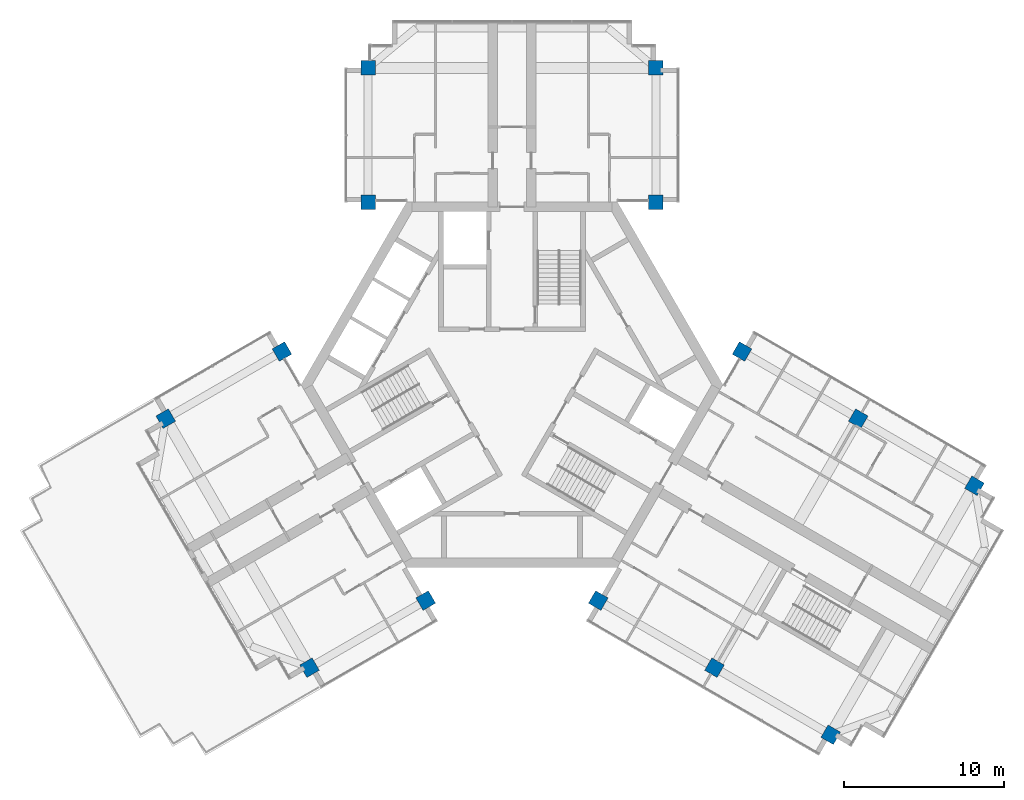
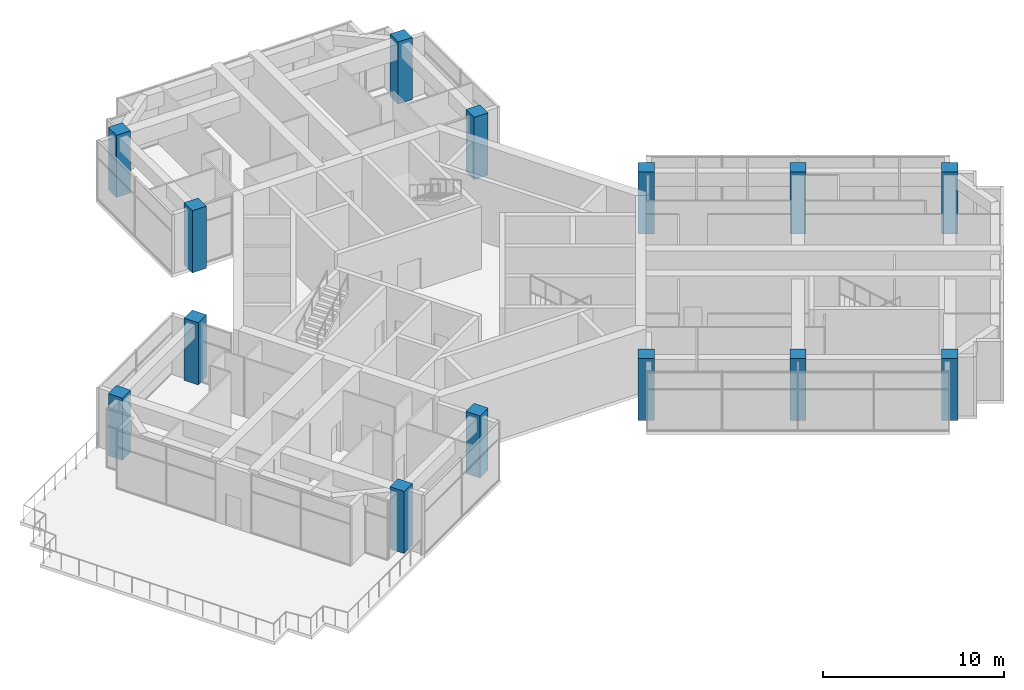
# One storey, part 1 of 13: 14 columns.
"""IFC4 building model written with IfcOpenShell, lengths in metres."""

import ifcopenshell
import ifcopenshell.guid

model = None  # the IFC model being written
_history = None  # IfcOwnerHistory: only IFC2X3 demands one
_inside = {}  # id of a spatial element -> (the spatial element, [elements in it])
_under = {}  # id of a project, library or spatial element -> (it, [spatial elements below it])
_declared = {}  # id of a project -> (the project, [libraries it declares])
_typed = {}  # id of a type object -> (the type object, [elements of that type])
_made_of = {}  # id of a material, layer set ... -> (it, [elements and type objects made of it])


def new_model(schema):
    """Start an empty IFC model of exactly this schema.

    Asked for "IFC4X3", IfcOpenShell would pick the latest addendum, in which some entities
    have other attributes; the version numbers below select the first issue.
    IFC2X3 requires an IfcOwnerHistory on every rooted entity: one is made here for all.
    """
    global model, _history
    if schema == "IFC4X3":
        model = ifcopenshell.file(schema_version=(4, 3, 0, 0))
    else:
        model = ifcopenshell.file(schema=schema)
    _inside.clear()
    _under.clear()
    _declared.clear()
    _typed.clear()
    _made_of.clear()
    _history = None
    if model.schema == "IFC2X3":
        org = make("IfcOrganization", Name="unknown")
        user = make(
            "IfcPersonAndOrganization",
            ThePerson=make("IfcPerson", FamilyName="unknown"),
            TheOrganization=org,
        )
        app = make(
            "IfcApplication",
            ApplicationDeveloper=org,
            Version="unknown",
            ApplicationFullName="unknown",
            ApplicationIdentifier="unknown",
        )
        _history = make(
            "IfcOwnerHistory",
            OwningUser=user,
            OwningApplication=app,
            ChangeAction="ADDED",
            CreationDate=0,
        )
    return model


def make(cls, **values):
    """One entity of the class cls with the attributes given. An attribute that is None is left unset."""
    return model.create_entity(
        cls, **{name: value for name, value in values.items() if value is not None}
    )


def rooted(cls, **values):
    """An entity with a GlobalId (a new one), such as an element, a storey or a relation."""
    return make(cls, GlobalId=ifcopenshell.guid.new(), OwnerHistory=_history, **values)


def si_unit(unit_type, name, prefix=None):
    """IfcSIUnit, for example si_unit("LENGTHUNIT", "METRE", prefix="MILLI")."""
    return make("IfcSIUnit", UnitType=unit_type, Prefix=prefix, Name=name)


def assignment(units):
    """IfcUnitAssignment: the units of a project."""
    return None if units is None else make("IfcUnitAssignment", Units=units)


def point(xyz):
    """IfcCartesianPoint."""
    return None if xyz is None else make("IfcCartesianPoint", Coordinates=xyz)


def direction(xyz):
    """IfcDirection."""
    return None if xyz is None else make("IfcDirection", DirectionRatios=xyz)


def frame(location, z_axis=None, x_axis=None):
    """IfcAxis2Placement3D, a coordinate frame: its origin and axes. An axis left out is left unset."""
    return make(
        "IfcAxis2Placement3D",
        Location=point(location),
        Axis=direction(z_axis),
        RefDirection=direction(x_axis),
    )


def frame_2d(location, x_axis=None):
    """IfcAxis2Placement2D, a coordinate frame in the plane: its origin and x axis."""
    return make(
        "IfcAxis2Placement2D", Location=point(location), RefDirection=direction(x_axis)
    )


def origin():
    """The frame at (0, 0, 0) with its axes left unset."""
    return frame((0.0, 0.0, 0.0))


def origin_2d():
    """The frame at (0, 0) in the plane with its x axis left unset."""
    return frame_2d((0.0, 0.0))


def place(relative_to, where):
    """IfcLocalPlacement: puts the frame where relative to a parent placement (None: the world)."""
    return make(
        "IfcLocalPlacement", PlacementRelTo=relative_to, RelativePlacement=where
    )


def context(
    kind, dimensions, precision=None, world=None, true_north=None, identifier=None
):
    """IfcGeometricRepresentationContext, for example the 3D "Model" context."""
    return make(
        "IfcGeometricRepresentationContext",
        ContextIdentifier=identifier,
        ContextType=kind,
        CoordinateSpaceDimension=dimensions,
        Precision=precision,
        WorldCoordinateSystem=world,
        TrueNorth=true_north,
    )


def subcontext(parent, identifier, kind, view, scale=None):
    """IfcGeometricRepresentationSubContext, for example "Body" below "Model"."""
    return make(
        "IfcGeometricRepresentationSubContext",
        ContextIdentifier=identifier,
        ContextType=kind,
        ParentContext=parent,
        TargetScale=scale,
        TargetView=view,
    )


def project(units=None, contexts=None):
    """IfcProject with its units and contexts."""
    return rooted(
        "IfcProject",
        Name="project",
        RepresentationContexts=contexts,
        UnitsInContext=assignment(units),
    )


def spatial(cls, under=None, at=None, **own):
    """A site, building, storey or space (cls), placed at a placement, below another one or the project."""
    s = rooted(cls, ObjectPlacement=at, **own)
    if under is not None:
        _under.setdefault(under.id(), (under, []))[1].append(s)
    return s


def profile(cls, at=None, kind="AREA", **sizes):
    """A parametric profile (cls). Its sizes go by their IFC names, for example OverallWidth=200.0."""
    return make(cls, ProfileType=kind, Position=at, **sizes)


def rectangle(**sizes):
    """IfcRectangleProfileDef."""
    return profile("IfcRectangleProfileDef", **sizes)


def extrude(swept, where, along, depth):
    """IfcExtrudedAreaSolid: the profile swept, set in the frame where, extruded along a direction by depth."""
    return make(
        "IfcExtrudedAreaSolid",
        SweptArea=swept,
        Position=where,
        ExtrudedDirection=direction(along),
        Depth=depth,
    )


def shape(context_of_items, identifier, shape_type, items):
    """IfcShapeRepresentation: the items that make up one representation, for example the "Body"."""
    return make(
        "IfcShapeRepresentation",
        ContextOfItems=context_of_items,
        RepresentationIdentifier=identifier,
        RepresentationType=shape_type,
        Items=items,
    )


def material(Name=None, Category=None):
    """IfcMaterial."""
    return make("IfcMaterial", Name=Name, Category=Category)


def material_profile(
    of_material, cross_section, Name=None, Category=None, Priority=None
):
    """IfcMaterialProfile: a cross section and its material."""
    return make(
        "IfcMaterialProfile",
        Name=Name,
        Material=of_material,
        Profile=cross_section,
        Priority=Priority,
        Category=Category,
    )


def profile_set(profiles, Name=None, composite=None):
    """IfcMaterialProfileSet."""
    return make(
        "IfcMaterialProfileSet",
        Name=Name,
        MaterialProfiles=profiles,
        CompositeProfile=composite,
    )


def made_of(thing, what):
    """Note that an element or type object is made of a material, layer set ...; save() writes the relation."""
    if what is not None:
        _made_of.setdefault(what.id(), (what, []))[1].append(thing)
    return thing


def type_object(cls, material=None, **own):
    """A type object (cls), such as IfcWallType, which elements share."""
    return made_of(rooted(cls, **own), material)


def element(
    cls,
    number,
    at=None,
    inside=None,
    cuts=None,
    type_object=None,
    material=None,
    context=None,
    identifier="Body",
    shape_type=None,
    held_by="IfcProductDefinitionShape",
    body=None,
    shapes=None,
    **own,
):
    """One element of the class cls, such as IfcWall. Its Tag is "e" and its number.

    at: its placement. inside: the storey or other place that contains it. cuts: it is an
    opening in that element (IfcRelVoidsElement). A single representation is given by context,
    identifier, shape_type and body (its items); several are given by shapes. held_by: the class
    of the entity that holds the representations. save() writes the other relations.
    """
    e = rooted(cls, Tag="e%d" % number, ObjectPlacement=at, **own)
    if body is not None:
        shapes = [shape(context, identifier, shape_type, body)]
    if shapes is not None:
        e.Representation = make(held_by, Representations=shapes)
    if inside is not None:
        _inside.setdefault(inside.id(), (inside, []))[1].append(e)
    if cuts is not None:
        rooted(
            "IfcRelVoidsElement", RelatingBuildingElement=cuts, RelatedOpeningElement=e
        )
    if type_object is not None:
        _typed.setdefault(type_object.id(), (type_object, []))[1].append(e)
    return made_of(e, material)


def aggregate(whole, parts):
    """IfcRelAggregates: a whole, such as a stair, and the parts it consists of."""
    return rooted("IfcRelAggregates", RelatingObject=whole, RelatedObjects=parts)


def save(model, path):
    """Write the relations noted so far, then the file.

    IfcRelAggregates (storeys below a building ...), IfcRelContainedInSpatialStructure (elements
    in a storey), IfcRelDefinesByType, IfcRelAssociatesMaterial and IfcRelDeclares: one each for
    every whole, place, type object, material and project.
    """
    for whole, parts in _under.values():
        aggregate(whole, parts)
    for where, things in _inside.values():
        rooted(
            "IfcRelContainedInSpatialStructure",
            RelatedElements=things,
            RelatingStructure=where,
        )
    for kind, things in _typed.values():
        rooted("IfcRelDefinesByType", RelatedObjects=things, RelatingType=kind)
    for what, things in _made_of.values():
        rooted("IfcRelAssociatesMaterial", RelatedObjects=things, RelatingMaterial=what)
    for by, libraries in _declared.values():
        rooted("IfcRelDeclares", RelatingContext=by, RelatedDefinitions=libraries)
    model.write(path)


model = new_model("IFC4")

# Units and contexts
model_context = context("Model", 3, precision=1e-05, world=origin(), true_north=direction((0.0, 1.0)))
body_context = subcontext(model_context, "Body", "Model", "MODEL_VIEW")
ifc_project = project(units=[si_unit("LENGTHUNIT", "METRE"), si_unit("AREAUNIT", "SQUARE_METRE"), si_unit("VOLUMEUNIT", "CUBIC_METRE"), si_unit("PLANEANGLEUNIT", "RADIAN"), si_unit("MASSUNIT", "GRAM", prefix="KILO")], contexts=[model_context])

# Site, building, storey
site_placement = place(None, origin())
site = spatial("IfcSite", under=ifc_project, at=site_placement, CompositionType="ELEMENT")
building_placement = place(site_placement, origin())
building = spatial("IfcBuilding", under=site, at=building_placement, Name="Impinga Residences", CompositionType="ELEMENT")
storey_placement = place(building_placement, frame((0.0, 0.0, 283.14990234375)))
storey = spatial("IfcBuildingStorey", under=building, at=storey_placement, Name="L71", CompositionType="ELEMENT", Elevation=283.14990234375)

# Columns
ifc_material = material(Name="Concrete C60/75", Category="concrete")
ifc_material_profile = material_profile(ifc_material, rectangle(XDim=0.89990234375, YDim=0.89990234375, at=origin_2d()), Name="RC 900x900")
ifc_profile_set = profile_set([ifc_material_profile], Name="Concrete C60/75")
column_type = type_object("IfcColumnType", Name="C5 900x900 column", PredefinedType="COLUMN", material=ifc_profile_set)
for number, where, z_axis, x_axis, name in (
    (1, (-9.0, 11.431640625, 0.0), (0.0, 0.0, 1.0), (1.0, 0.0, 0.0), "Column C5 N1/NA L71"),
    (2, (9.0, 11.431640625, 0.0), (0.0, 0.0, 1.0), (1.0, 0.0, 0.0), "Column C5 N1/NF L71"),
    (3, (-9.0, 19.83154296875, 0.0), (0.0, 0.0, 1.0), (1.0, 0.0, 0.0), "Column C5 N2/NA L71"),
    (4, (9.0, 19.83154296875, 0.0), (0.0, 0.0, 1.0), (1.0, 0.0, 0.0), "Column C5 N2/NF L71"),
    (5, (-5.39990234375, -13.510009765625, 0.0), (0.0, 0.0, 1.0), (-0.5, 0.866025403784, 0.0), "Column C5 W1/WA L71"),
    (6, (-14.39990234375, 2.078369140625, 0.0), (0.0, 0.0, 1.0), (-0.5, 0.866025403784, 0.0), "Column C5 W1/WF L71"),
    (7, (-12.674560546875, -17.7099609375, 0.0), (0.0, 0.0, 1.0), (-0.5, 0.866025403784, 0.0), "Column C5 W2/WA L71"),
    (8, (-21.674560546875, -2.12158203125, 0.0), (0.0, 0.0, 1.0), (-0.5, 0.866025403784, 0.0), "Column C5 W2/WF L71"),
    (9, (14.39990234375, 2.078369140625, 0.0), (0.0, 0.0, 1.0), (-0.5, -0.866025403784, 0.0), "Column C5 E1/EA L71"),
    (10, (5.39990234375, -13.510009765625, 0.0), (0.0, 0.0, 1.0), (-0.5, -0.866025403784, 0.0), "Column C5 E1/EF L71"),
    (11, (21.674560546875, -2.12158203125, 0.0), (0.0, 0.0, 1.0), (-0.5, -0.866025403784, 0.0), "Column C5 E2/EA L71"),
    (12, (12.674560546875, -17.7099609375, 0.0), (0.0, 0.0, 1.0), (-0.5, -0.866025403784, 0.0), "Column C5 E2/EF L71"),
    (13, (28.94921875, -6.321533203125, 0.0), (0.0, 0.0, 1.0), (-0.5, -0.866025403784, 0.0), "Column C5 E3/EA L71"),
    (14, (19.94921875, -21.909912109375, 0.0), (0.0, 0.0, 1.0), (-0.5, -0.866025403784, 0.0), "Column C5 E3/EF L71"),
):
    element("IfcColumn", number, at=place(storey_placement, frame(where, z_axis=z_axis, x_axis=x_axis)), inside=storey, type_object=column_type, Name=name, PredefinedType="COLUMN", context=body_context, shape_type="SweptSolid", body=[
        extrude(rectangle(XDim=0.89990234375, YDim=0.89990234375, at=origin_2d()), origin(), (0.0, 0.0, 1.0), 4.2001953125),
    ])

save(model, "model.ifc")
